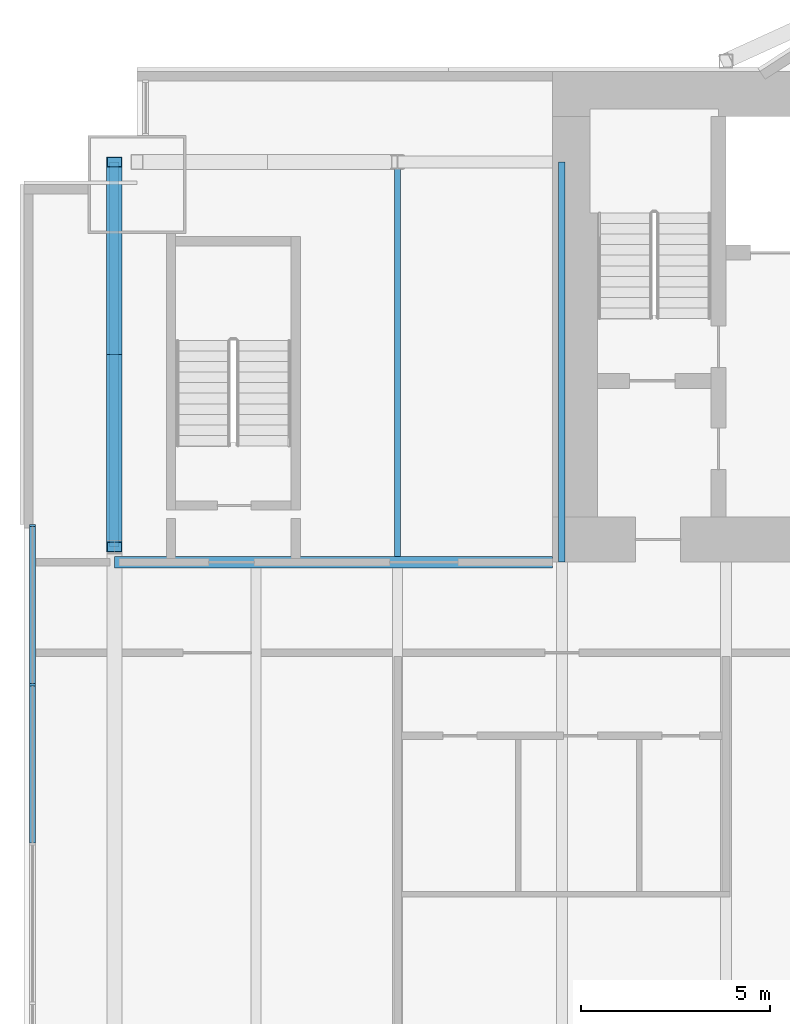
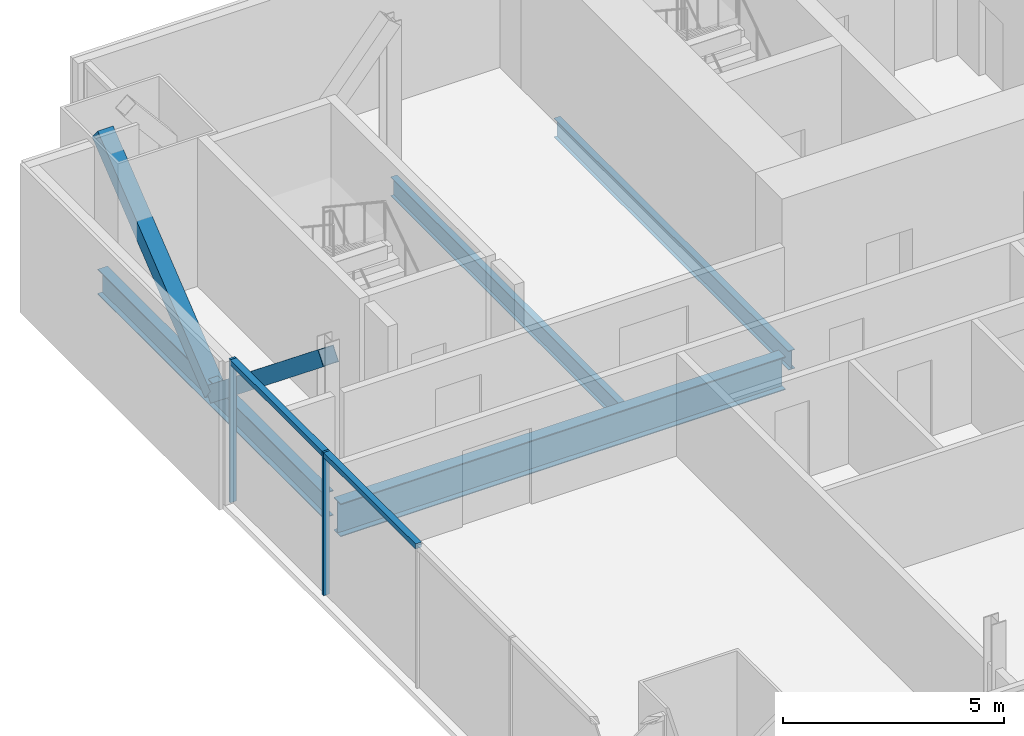
# One storey, part 7 of 20: 6 members, 4 beams, 1 element without a shape of its own.
"""IFC4 building model written with IfcOpenShell, lengths in metres."""

from ifc_helpers import new_model, si_unit, direction, frame, origin, origin_2d, place, context, subcontext, project, spatial, rectangle, hollow_rectangle, i_section, extrude, material, material_profile, profile_set, type_object, element, aggregate, save


model = new_model("IFC4")

# Units and contexts
model_context = context("Model", 3, precision=1e-05, world=origin(), true_north=direction((0.0, 1.0)))
body_context = subcontext(model_context, "Body", "Model", "MODEL_VIEW")
ifc_project = project(units=[si_unit("LENGTHUNIT", "METRE"), si_unit("AREAUNIT", "SQUARE_METRE"), si_unit("VOLUMEUNIT", "CUBIC_METRE"), si_unit("PLANEANGLEUNIT", "RADIAN"), si_unit("MASSUNIT", "GRAM", prefix="KILO")], contexts=[model_context])

# Site, building, storey
site_placement = place(None, origin())
site = spatial("IfcSite", under=ifc_project, at=site_placement, CompositionType="ELEMENT")
building_placement = place(site_placement, origin())
building = spatial("IfcBuilding", under=site, at=building_placement, Name="Bicima Exchange Tower", CompositionType="ELEMENT")
storey_placement = place(building_placement, frame((0.0, 0.0, 207.300048828125)))
storey = spatial("IfcBuildingStorey", under=building, at=storey_placement, Name="L46", CompositionType="ELEMENT", Elevation=207.300048828125)

# Beam
ifc_material_1 = material(Name="Steel ASTM A992 Gr 50", Category="steel")
ifc_material_profile_1 = material_profile(ifc_material_1, i_section(OverallWidth=0.3046875, OverallDepth=0.911865234375, WebThickness=0.015869140625, FlangeThickness=0.02392578125, at=origin_2d()))
ifc_profile_set_1 = profile_set([ifc_material_profile_1], Name="Steel ASTM A992 Gr 50")
beam_type_1 = type_object("IfcBeamType", Name="Core-line girder W36x150", PredefinedType="BEAM", material=ifc_profile_set_1)
beam_1_placement = place(storey_placement, frame((-22.0, -13.0, -0.60595703125), z_axis=(-1.0, 0.0, 0.0), x_axis=(0.0, -1.0, 0.0)))
element("IfcBeam", 1, at=beam_1_placement, inside=storey, type_object=beam_type_1, Name="Core-line girder", PredefinedType="BEAM", context=body_context, shape_type="SweptSolid", body=[
    extrude(i_section(OverallWidth=0.3046875, OverallDepth=0.911865234375, WebThickness=0.015869140625, FlangeThickness=0.02392578125, at=origin_2d()), origin(), (0.0, 0.0, 1.0), 11.60009765625),
])

# Curtain wall, members
ifc_material_2 = material(Name="Anodised bronze aluminium", Category="aluminium")
curtain_wall_type = type_object("IfcCurtainWallType", Name="End face glass wall", PredefinedType="NOTDEFINED", material=ifc_material_2)
curtain_wall_placement = place(storey_placement, origin())
curtain_wall = element("IfcCurtainWall", 2, at=curtain_wall_placement, inside=storey, type_object=curtain_wall_type, Name="End face glass wall L46 run 2", PredefinedType="NOTDEFINED")
ifc_material_profile_2 = material_profile(ifc_material_2, rectangle(XDim=0.159912109375, YDim=0.06005859375, at=origin_2d()))
ifc_profile_set_2 = profile_set([ifc_material_profile_2], Name="Anodised bronze aluminium")
member_type_1 = type_object("IfcMemberType", Name="End face glass wall mullion 60 x 160", PredefinedType="MULLION", material=ifc_profile_set_2)
member_1_placement = place(storey_placement, frame((-35.77001953125, -12.030029296875, 0.0), z_axis=(0.0, 0.0, 1.0), x_axis=(1.0, 0.0, 0.0)))
member_1 = element("IfcMember", 3, at=member_1_placement, type_object=member_type_1, Name="End face glass wall mullion 1", PredefinedType="MULLION", context=body_context, shape_type="SweptSolid", body=[
    extrude(rectangle(XDim=0.159912109375, YDim=0.06005859375, at=origin_2d()), origin(), (0.0, 0.0, 1.0), 3.949951171875),
])
member_2_placement = place(storey_placement, frame((-35.77001953125, -16.24755859375, 0.0), z_axis=(0.0, 0.0, 1.0), x_axis=(1.0, 0.0, 0.0)))
member_2 = element("IfcMember", 4, at=member_2_placement, type_object=member_type_1, Name="End face glass wall mullion 2", PredefinedType="MULLION", context=body_context, shape_type="SweptSolid", body=[
    extrude(rectangle(XDim=0.159912109375, YDim=0.06005859375, at=origin_2d()), origin(), (0.0, 0.0, 1.0), 3.949951171875),
])
ifc_material_profile_3 = material_profile(ifc_material_2, rectangle(XDim=0.159912109375, YDim=0.139892578125, at=origin_2d()))
ifc_profile_set_3 = profile_set([ifc_material_profile_3], Name="Anodised bronze aluminium")
member_type_2 = type_object("IfcMemberType", Name="End face glass wall transom 140 x 160", PredefinedType="USERDEFINED", material=ifc_profile_set_3)
member_3_placement = place(storey_placement, frame((-35.77001953125, -12.06005859375, 3.8798828125), z_axis=(0.0, -1.0, 0.0), x_axis=(1.0, 0.0, 0.0)))
member_3 = element("IfcMember", 5, at=member_3_placement, type_object=member_type_2, Name="End face glass wall transom 1.1", ObjectType="TRANSOM", PredefinedType="USERDEFINED", context=body_context, shape_type="SweptSolid", body=[
    extrude(rectangle(XDim=0.159912109375, YDim=0.139892578125, at=origin_2d()), origin(), (0.0, 0.0, 1.0), 4.157470703125),
])
member_4_placement = place(storey_placement, frame((-35.77001953125, -16.277587890625, 3.8798828125), z_axis=(0.0, -1.0, 0.0), x_axis=(1.0, 0.0, 0.0)))
member_4 = element("IfcMember", 6, at=member_4_placement, type_object=member_type_2, Name="End face glass wall transom 2.1", ObjectType="TRANSOM", PredefinedType="USERDEFINED", context=body_context, shape_type="SweptSolid", body=[
    extrude(rectangle(XDim=0.159912109375, YDim=0.139892578125, at=origin_2d()), origin(), (0.0, 0.0, 1.0), 4.157470703125),
])
aggregate(curtain_wall, [member_1, member_2, member_3, member_4])

# Beams
ifc_material_profile_4 = material_profile(ifc_material_1, i_section(OverallWidth=0.256591796875, OverallDepth=0.693359375, WebThickness=0.014404296875, FlangeThickness=0.023681640625, at=origin_2d()))
ifc_profile_set_4 = profile_set([ifc_material_profile_4], Name="Steel ASTM A992 Gr 50")
beam_type_2 = type_object("IfcBeamType", Name="End girder W27x114", PredefinedType="BEAM", material=ifc_profile_set_4)
beam_2_placement = place(storey_placement, frame((-33.60009765625, -2.39990234375, -0.496826171875), z_axis=(0.0, -1.0, 0.0), x_axis=(1.0, 0.0, 0.0)))
element("IfcBeam", 7, at=beam_2_placement, inside=storey, type_object=beam_type_2, Name="End girder", PredefinedType="BEAM", context=body_context, shape_type="SweptSolid", body=[
    extrude(i_section(OverallWidth=0.256591796875, OverallDepth=0.693359375, WebThickness=0.014404296875, FlangeThickness=0.023681640625, at=origin_2d()), origin(), (0.0, 0.0, 1.0), 10.2001953125),
])
ifc_material_profile_5 = material_profile(ifc_material_1, i_section(OverallWidth=0.165771484375, OverallDepth=0.5283203125, WebThickness=0.009765625, FlangeThickness=0.013671875, at=origin_2d()))
ifc_profile_set_5 = profile_set([ifc_material_profile_5], Name="Steel ASTM A992 Gr 50")
beam_type_3 = type_object("IfcBeamType", Name="Floor beam W21x50", PredefinedType="JOIST", material=ifc_profile_set_5)
beam_3_placement = place(storey_placement, frame((-26.10009765625, -2.5625, -0.414306640625), z_axis=(0.0, -1.0, 0.0), x_axis=(1.0, 0.0, 0.0)))
element("IfcBeam", 8, at=beam_3_placement, inside=storey, type_object=beam_type_3, Name="Floor beam", PredefinedType="JOIST", context=body_context, shape_type="SweptSolid", body=[
    extrude(i_section(OverallWidth=0.165771484375, OverallDepth=0.5283203125, WebThickness=0.009765625, FlangeThickness=0.013671875, at=origin_2d()), origin(), (0.0, 0.0, 1.0), 10.28515625),
])
beam_4_placement = place(storey_placement, frame((-21.75, -2.39990234375, -0.414306640625), z_axis=(0.0, -1.0, 0.0), x_axis=(1.0, 0.0, 0.0)))
element("IfcBeam", 9, at=beam_4_placement, inside=storey, type_object=beam_type_3, Name="Floor beam", PredefinedType="JOIST", context=body_context, shape_type="SweptSolid", body=[
    extrude(i_section(OverallWidth=0.165771484375, OverallDepth=0.5283203125, WebThickness=0.009765625, FlangeThickness=0.013671875, at=origin_2d()), origin(), (0.0, 0.0, 1.0), 10.60009765625),
])

# Members
ifc_material_3 = material(Name="Steel ASTM A572 Gr 50", Category="steel")
ifc_material_profile_6 = material_profile(ifc_material_3, hollow_rectangle(XDim=0.406494140625, YDim=0.406494140625, WallThickness=0.0146484375, at=origin_2d()))
ifc_profile_set_6 = profile_set([ifc_material_profile_6], Name="Steel ASTM A572 Gr 50")
member_type_3 = type_object("IfcMemberType", Name="Mega brace HSS16x16x5/8", PredefinedType="BRACE", material=ifc_profile_set_6)
for number, where, z_axis, x_axis, name in (
    (10, (-33.60009765625, -7.5, -0.496826171875), (0.0, -0.779374241895, 0.626558689247), (1.0, 0.0, 0.0), "Mega brace west end"),
    (11, (-33.60009765625, -7.5, -0.496826171875), (0.0, 0.779374241895, 0.626558689247), (-1.0, 0.0, 0.0), "Mega brace west end"),
):
    element("IfcMember", number, at=place(storey_placement, frame(where, z_axis=z_axis, x_axis=x_axis)), inside=storey, type_object=member_type_3, Name=name, PredefinedType="BRACE", context=body_context, shape_type="SweptSolid", body=[
        extrude(hollow_rectangle(XDim=0.406494140625, YDim=0.406494140625, WallThickness=0.0146484375, at=origin_2d()), origin(), (0.0, 0.0, 1.0), 6.5439453125),
    ])

save(model, "model.ifc")
